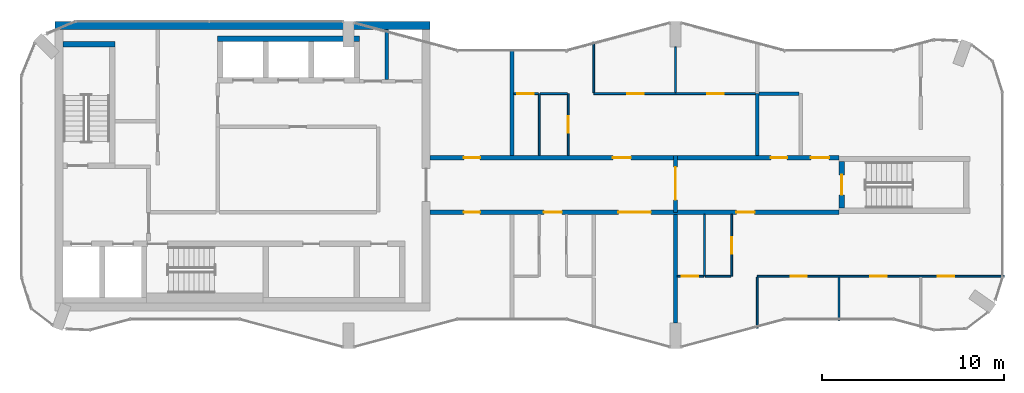
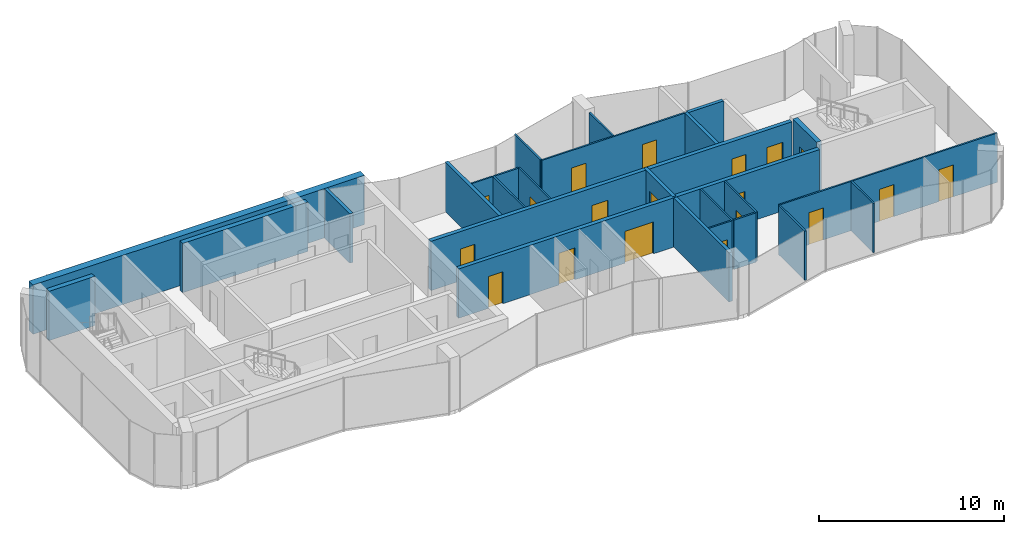
# One storey, part 8 of 10: 26 walls, 19 doors, 19 openings.
"""IFC4 building model written with IfcOpenShell, lengths in metres."""

from ifc_helpers import new_model, si_unit, direction, frame, frame_2d, origin, place, context, subcontext, project, spatial, rectangle, extrude, material, layer, layer_set, type_object, element, fill, save


model = new_model("IFC4")

# Units and contexts
model_context = context("Model", 3, precision=1e-05, world=origin(), true_north=direction((0.0, 1.0)))
body_context = subcontext(model_context, "Body", "Model", "MODEL_VIEW")
ifc_project = project(units=[si_unit("LENGTHUNIT", "METRE"), si_unit("AREAUNIT", "SQUARE_METRE"), si_unit("VOLUMEUNIT", "CUBIC_METRE"), si_unit("PLANEANGLEUNIT", "RADIAN"), si_unit("MASSUNIT", "GRAM", prefix="KILO")], contexts=[model_context])

# Site, building, storey
site_placement = place(None, origin())
site = spatial("IfcSite", under=ifc_project, at=site_placement, CompositionType="ELEMENT")
building_placement = place(site_placement, origin())
building = spatial("IfcBuilding", under=site, at=building_placement, Name="Plateau Cross Towers", CompositionType="ELEMENT")
storey_placement = place(building_placement, frame((0.0, 0.0, 277.39990234375)))
storey = spatial("IfcBuildingStorey", under=building, at=storey_placement, Name="L73", CompositionType="ELEMENT", Elevation=277.39990234375)

# Walls
ifc_material_1 = material(Name="Concrete block, plastered both sides", Category="concrete")
ifc_layer_1 = layer(ifc_material_1, 0.199951171875)
ifc_layer_set_1 = layer_set([ifc_layer_1], Name="Concrete block, plastered both sides")
wall_type_1 = type_object("IfcWallType", Name="Core partition 200", PredefinedType="PARTITIONING", material=ifc_layer_set_1)
wall_1_placement = place(storey_placement, frame((20.10009765625, 14.800048828125, 0.0), z_axis=(0.0, 0.0, 1.0), x_axis=(0.0, 1.0, 0.0)))
element("IfcWall", 1, at=wall_1_placement, inside=storey, type_object=wall_type_1, Name="Core partition", PredefinedType="PARTITIONING", context=body_context, shape_type="SweptSolid", body=[
    extrude(rectangle(XDim=2.75, YDim=0.199951171875, at=frame_2d((1.375, 0.0))), origin(), (0.0, 0.0, 1.0), 3.25),
])
ifc_material_2 = material(Name="Concrete C60/75", Category="concrete")
ifc_layer_2 = layer(ifc_material_2, 0.300048828125)
ifc_layer_set_2 = layer_set([ifc_layer_2], Name="Concrete C60/75")
wall_type_2 = type_object("IfcWallType", Name="Core shaft wall 300", PredefinedType="SHEAR", material=ifc_layer_set_2)
wall_2_placement = place(storey_placement, frame((2.300048828125, 16.75, 0.0), z_axis=(0.0, 0.0, 1.0), x_axis=(1.0, 0.0, 0.0)))
element("IfcWall", 2, at=wall_2_placement, inside=storey, type_object=wall_type_2, Name="A-st1-N@L73", PredefinedType="SHEAR", context=body_context, shape_type="SweptSolid", body=[
    extrude(rectangle(XDim=2.849853515625, YDim=0.300048828125, at=frame_2d((1.4248046875, 0.0))), origin(), (0.0, 0.0, 1.0), 3.25),
])
wall_3_placement = place(storey_placement, frame((10.800048828125, 17.050048828125, 0.0), z_axis=(0.0, 0.0, 1.0), x_axis=(1.0, 0.0, 0.0)))
element("IfcWall", 3, at=wall_3_placement, inside=storey, type_object=wall_type_2, Name="A-nb-back@L73", PredefinedType="SHEAR", context=body_context, shape_type="SweptSolid", body=[
    extrude(rectangle(XDim=7.800048828125, YDim=0.300048828125, at=frame_2d((3.89990234375, 0.0))), origin(), (0.0, 0.0, 1.0), 3.25),
])
ifc_layer_3 = layer(ifc_material_2, 0.449951171875)
ifc_layer_set_3 = layer_set([ifc_layer_3], Name="Concrete C60/75")
wall_type_3 = type_object("IfcWallType", Name="Core shell wall 450", PredefinedType="SHEAR", material=ifc_layer_set_3)
wall_4_placement = place(storey_placement, frame((1.85009765625, 17.77490234375, 0.0), z_axis=(0.0, 0.0, 1.0), x_axis=(1.0, 0.0, 0.0)))
element("IfcWall", 4, at=wall_4_placement, inside=storey, type_object=wall_type_3, Name="A-core-N@L73", PredefinedType="SHEAR", context=body_context, shape_type="SweptSolid", body=[
    extrude(rectangle(XDim=20.64990234375, YDim=0.449951171875, at=frame_2d((10.324951171875, 0.0))), origin(), (0.0, 0.0, 1.0), 3.25),
])

# Wall, openings, doors
ifc_layer_4 = layer(ifc_material_2, 0.25)
ifc_layer_set_4 = layer_set([ifc_layer_4], Name="Concrete C60/75")
wall_type_4 = type_object("IfcWallType", Name="Corridor wall 250", PredefinedType="SHEAR", material=ifc_layer_set_4)
wall_5_placement = place(storey_placement, frame((22.5, 7.5, 0.0), z_axis=(0.0, 0.0, 1.0), x_axis=(1.0, 0.0, 0.0)))
wall_5 = element("IfcWall", 5, at=wall_5_placement, inside=storey, type_object=wall_type_4, Name="A-cw-S1@L73", PredefinedType="SHEAR", context=body_context, shape_type="SweptSolid", body=[
    extrude(rectangle(XDim=22.5, YDim=0.25, at=frame_2d((11.25, 0.0))), origin(), (0.0, 0.0, 1.0), 3.25),
])
opening_1_placement = place(wall_5_placement, frame((1.85009765625, 0.0, 0.0)))
opening_1 = element("IfcOpeningElement", 6, at=opening_1_placement, cuts=wall_5, Name="Opening 73-01", PredefinedType="OPENING", context=body_context, shape_type="SweptSolid", body=[
    extrude(rectangle(XDim=0.89990234375, YDim=2.10009765625, at=frame_2d((0.449951171875, 1.050048828125))), frame((0.0, 0.135009765625, 0.0), z_axis=(0.0, -1.0, 0.0), x_axis=(1.0, 0.0, 0.0)), (0.0, 0.0, 1.0), 0.27001953125),
])
opening_2_placement = place(wall_5_placement, frame((6.25, 0.0, 0.0)))
opening_2 = element("IfcOpeningElement", 7, at=opening_2_placement, cuts=wall_5, Name="Opening 73-02", PredefinedType="OPENING", context=body_context, shape_type="SweptSolid", body=[
    extrude(rectangle(XDim=1.0, YDim=2.10009765625, at=frame_2d((0.5, 1.050048828125))), frame((0.0, 0.135009765625, 0.0), z_axis=(0.0, -1.0, 0.0), x_axis=(1.0, 0.0, 0.0)), (0.0, 0.0, 1.0), 0.27001953125),
])
opening_3_placement = place(wall_5_placement, frame((10.35009765625, 0.0, 0.0)))
opening_3 = element("IfcOpeningElement", 8, at=opening_3_placement, cuts=wall_5, Name="Opening 73-03", PredefinedType="OPENING", context=body_context, shape_type="SweptSolid", body=[
    extrude(rectangle(XDim=1.800048828125, YDim=2.10009765625, at=frame_2d((0.89990234375, 1.050048828125))), frame((0.0, 0.135009765625, 0.0), z_axis=(0.0, -1.0, 0.0), x_axis=(1.0, 0.0, 0.0)), (0.0, 0.0, 1.0), 0.27001953125),
])
opening_4_placement = place(wall_5_placement, frame((16.85009765625, 0.0, 0.0)))
opening_4 = element("IfcOpeningElement", 9, at=opening_4_placement, cuts=wall_5, Name="Opening 73-04", PredefinedType="OPENING", context=body_context, shape_type="SweptSolid", body=[
    extrude(rectangle(XDim=1.0, YDim=2.10009765625, at=frame_2d((0.5, 1.050048828125))), frame((0.0, 0.135009765625, 0.0), z_axis=(0.0, -1.0, 0.0), x_axis=(1.0, 0.0, 0.0)), (0.0, 0.0, 1.0), 0.27001953125),
])
ifc_material_3 = material(Name="Timber, fire-resisting leaf", Category="wood")
door_type_1 = type_object("IfcDoorType", Name="Flat entrance door 1000", OperationType="NOTDEFINED", PredefinedType="DOOR", material=ifc_material_3)
door_1_placement = place(opening_2_placement, origin())
door_1 = element("IfcDoor", 10, at=door_1_placement, inside=storey, type_object=door_type_1, Name="Door 73-02", OperationType="SINGLE_SWING_LEFT", OverallHeight=2.10009765625, OverallWidth=1.0, PredefinedType="DOOR", context=body_context, shape_type="SweptSolid", body=[
    extrude(rectangle(XDim=1.0, YDim=2.10009765625, at=frame_2d((0.5, 1.050048828125))), frame((0.0, 0.02490234375, 0.0), z_axis=(0.0, -1.0, 0.0), x_axis=(1.0, 0.0, 0.0)), (0.0, 0.0, 1.0), 0.050048828125),
])
fill(opening_2, door_1)
door_2_placement = place(opening_4_placement, origin())
door_2 = element("IfcDoor", 11, at=door_2_placement, inside=storey, type_object=door_type_1, Name="Door 73-04", OperationType="SINGLE_SWING_RIGHT", OverallHeight=2.10009765625, OverallWidth=1.0, PredefinedType="DOOR", context=body_context, shape_type="SweptSolid", body=[
    extrude(rectangle(XDim=1.0, YDim=2.10009765625, at=frame_2d((0.5, 1.050048828125))), frame((0.0, 0.02490234375, 0.0), z_axis=(0.0, -1.0, 0.0), x_axis=(1.0, 0.0, 0.0)), (0.0, 0.0, 1.0), 0.050048828125),
])
fill(opening_4, door_2)
ifc_material_4 = material(Name="Timber, fire-resisting leaves", Category="wood")
door_type_2 = type_object("IfcDoorType", Name="Flat floor fire door pair 1800", OperationType="NOTDEFINED", PredefinedType="DOOR", material=ifc_material_4)
door_3_placement = place(opening_3_placement, origin())
door_3 = element("IfcDoor", 12, at=door_3_placement, inside=storey, type_object=door_type_2, Name="Door 73-03", OperationType="SINGLE_SWING_LEFT", OverallHeight=2.10009765625, OverallWidth=1.800048828125, PredefinedType="DOOR", context=body_context, shape_type="SweptSolid", body=[
    extrude(rectangle(XDim=1.800048828125, YDim=2.10009765625, at=frame_2d((0.89990234375, 1.050048828125))), frame((0.0, 0.02490234375, 0.0), z_axis=(0.0, -1.0, 0.0), x_axis=(1.0, 0.0, 0.0)), (0.0, 0.0, 1.0), 0.050048828125),
])
fill(opening_3, door_3)
door_type_3 = type_object("IfcDoorType", Name="Flat floor service door 900", OperationType="NOTDEFINED", PredefinedType="DOOR", material=ifc_material_3)
door_4_placement = place(opening_1_placement, origin())
door_4 = element("IfcDoor", 13, at=door_4_placement, inside=storey, type_object=door_type_3, Name="Door 73-01", OperationType="SINGLE_SWING_LEFT", OverallHeight=2.10009765625, OverallWidth=0.89990234375, PredefinedType="DOOR", context=body_context, shape_type="SweptSolid", body=[
    extrude(rectangle(XDim=0.89990234375, YDim=2.10009765625, at=frame_2d((0.449951171875, 1.050048828125))), frame((0.0, 0.02490234375, 0.0), z_axis=(0.0, -1.0, 0.0), x_axis=(1.0, 0.0, 0.0)), (0.0, 0.0, 1.0), 0.050048828125),
])
fill(opening_1, door_4)

wall_6_placement = place(storey_placement, frame((22.5, 10.5, 0.0), z_axis=(0.0, 0.0, 1.0), x_axis=(1.0, 0.0, 0.0)))
wall_6 = element("IfcWall", 14, at=wall_6_placement, inside=storey, type_object=wall_type_4, Name="A-cw-S2@L73", PredefinedType="SHEAR", context=body_context, shape_type="SweptSolid", body=[
    extrude(rectangle(XDim=22.5, YDim=0.25, at=frame_2d((11.25, 0.0))), origin(), (0.0, 0.0, 1.0), 3.25),
])
opening_5_placement = place(wall_6_placement, frame((1.85009765625, 0.0, 0.0)))
opening_5 = element("IfcOpeningElement", 15, at=opening_5_placement, cuts=wall_6, Name="Opening 73-05", PredefinedType="OPENING", context=body_context, shape_type="SweptSolid", body=[
    extrude(rectangle(XDim=0.89990234375, YDim=2.10009765625, at=frame_2d((0.449951171875, 1.050048828125))), frame((0.0, 0.135009765625, 0.0), z_axis=(0.0, -1.0, 0.0), x_axis=(1.0, 0.0, 0.0)), (0.0, 0.0, 1.0), 0.27001953125),
])
opening_6_placement = place(wall_6_placement, frame((10.050048828125, 0.0, 0.0)))
opening_6 = element("IfcOpeningElement", 16, at=opening_6_placement, cuts=wall_6, Name="Opening 73-06", PredefinedType="OPENING", context=body_context, shape_type="SweptSolid", body=[
    extrude(rectangle(XDim=1.0, YDim=2.10009765625, at=frame_2d((0.5, 1.050048828125))), frame((0.0, 0.135009765625, 0.0), z_axis=(0.0, -1.0, 0.0), x_axis=(1.0, 0.0, 0.0)), (0.0, 0.0, 1.0), 0.27001953125),
])
opening_7_placement = place(wall_6_placement, frame((18.75, 0.0, 0.0)))
opening_7 = element("IfcOpeningElement", 17, at=opening_7_placement, cuts=wall_6, Name="Opening 73-07", PredefinedType="OPENING", context=body_context, shape_type="SweptSolid", body=[
    extrude(rectangle(XDim=0.89990234375, YDim=2.10009765625, at=frame_2d((0.449951171875, 1.050048828125))), frame((0.0, 0.135009765625, 0.0), z_axis=(0.0, -1.0, 0.0), x_axis=(1.0, 0.0, 0.0)), (0.0, 0.0, 1.0), 0.27001953125),
])
opening_8_placement = place(wall_6_placement, frame((20.949951171875, 0.0, 0.0)))
opening_8 = element("IfcOpeningElement", 18, at=opening_8_placement, cuts=wall_6, Name="Opening 73-08", PredefinedType="OPENING", context=body_context, shape_type="SweptSolid", body=[
    extrude(rectangle(XDim=1.0, YDim=2.10009765625, at=frame_2d((0.5, 1.050048828125))), frame((0.0, 0.135009765625, 0.0), z_axis=(0.0, -1.0, 0.0), x_axis=(1.0, 0.0, 0.0)), (0.0, 0.0, 1.0), 0.27001953125),
])
door_5_placement = place(opening_6_placement, origin())
door_5 = element("IfcDoor", 19, at=door_5_placement, inside=storey, type_object=door_type_1, Name="Door 73-06", OperationType="SINGLE_SWING_LEFT", OverallHeight=2.10009765625, OverallWidth=1.0, PredefinedType="DOOR", context=body_context, shape_type="SweptSolid", body=[
    extrude(rectangle(XDim=1.0, YDim=2.10009765625, at=frame_2d((0.5, 1.050048828125))), frame((0.0, 0.02490234375, 0.0), z_axis=(0.0, -1.0, 0.0), x_axis=(1.0, 0.0, 0.0)), (0.0, 0.0, 1.0), 0.050048828125),
])
fill(opening_6, door_5)
door_6_placement = place(opening_8_placement, origin())
door_6 = element("IfcDoor", 20, at=door_6_placement, inside=storey, type_object=door_type_1, Name="Door 73-08", OperationType="SINGLE_SWING_RIGHT", OverallHeight=2.10009765625, OverallWidth=1.0, PredefinedType="DOOR", context=body_context, shape_type="SweptSolid", body=[
    extrude(rectangle(XDim=1.0, YDim=2.10009765625, at=frame_2d((0.5, 1.050048828125))), frame((0.0, 0.02490234375, 0.0), z_axis=(0.0, -1.0, 0.0), x_axis=(1.0, 0.0, 0.0)), (0.0, 0.0, 1.0), 0.050048828125),
])
fill(opening_8, door_6)
door_7_placement = place(opening_5_placement, origin())
door_7 = element("IfcDoor", 21, at=door_7_placement, inside=storey, type_object=door_type_3, Name="Door 73-05", OperationType="SINGLE_SWING_LEFT", OverallHeight=2.10009765625, OverallWidth=0.89990234375, PredefinedType="DOOR", context=body_context, shape_type="SweptSolid", body=[
    extrude(rectangle(XDim=0.89990234375, YDim=2.10009765625, at=frame_2d((0.449951171875, 1.050048828125))), frame((0.0, 0.02490234375, 0.0), z_axis=(0.0, -1.0, 0.0), x_axis=(1.0, 0.0, 0.0)), (0.0, 0.0, 1.0), 0.050048828125),
])
fill(opening_5, door_7)
door_8_placement = place(opening_7_placement, origin())
door_8 = element("IfcDoor", 22, at=door_8_placement, inside=storey, type_object=door_type_3, Name="Door 73-07", OperationType="SINGLE_SWING_RIGHT", OverallHeight=2.10009765625, OverallWidth=0.89990234375, PredefinedType="DOOR", context=body_context, shape_type="SweptSolid", body=[
    extrude(rectangle(XDim=0.89990234375, YDim=2.10009765625, at=frame_2d((0.449951171875, 1.050048828125))), frame((0.0, 0.02490234375, 0.0), z_axis=(0.0, -1.0, 0.0), x_axis=(1.0, 0.0, 0.0)), (0.0, 0.0, 1.0), 0.050048828125),
])
fill(opening_7, door_8)

ifc_material_5 = material(Name="Gypsum board on steel studs", Category="steel")
ifc_layer_5 = layer(ifc_material_5, 0.10009765625)
ifc_layer_set_5 = layer_set([ifc_layer_5], Name="Gypsum board on steel studs")
wall_type_5 = type_object("IfcWallType", Name="Flat partition 100", PredefinedType="PARTITIONING", material=ifc_layer_set_5)
wall_7_placement = place(storey_placement, frame((54.080078125, 3.97509765625, 0.0), z_axis=(0.0, 0.0, 1.0), x_axis=(-1.0, 0.0, 0.0)))
wall_7 = element("IfcWall", 23, at=wall_7_placement, inside=storey, type_object=wall_type_5, Name="Partition wall", PredefinedType="PARTITIONING", context=body_context, shape_type="SweptSolid", body=[
    extrude(rectangle(XDim=13.580078125, YDim=0.10009765625, at=frame_2d((6.7900390625, 0.0))), origin(), (0.0, 0.0, 1.0), 3.25),
])
opening_9_placement = place(wall_7_placement, frame((10.85009765625, 0.0, 0.0)))
opening_9 = element("IfcOpeningElement", 24, at=opening_9_placement, cuts=wall_7, Name="Opening 73-15", PredefinedType="OPENING", context=body_context, shape_type="SweptSolid", body=[
    extrude(rectangle(XDim=0.89990234375, YDim=2.10009765625, at=frame_2d((0.449951171875, 1.050048828125))), frame((0.0, 0.06005859375, 0.0), z_axis=(0.0, -1.0, 0.0), x_axis=(1.0, 0.0, 0.0)), (0.0, 0.0, 1.0), 0.1201171875),
])
opening_10_placement = place(wall_7_placement, frame((6.449951171875, 0.0, 0.0)))
opening_10 = element("IfcOpeningElement", 25, at=opening_10_placement, cuts=wall_7, Name="Opening 73-16", PredefinedType="OPENING", context=body_context, shape_type="SweptSolid", body=[
    extrude(rectangle(XDim=0.89990234375, YDim=2.10009765625, at=frame_2d((0.449951171875, 1.050048828125))), frame((0.0, 0.06005859375, 0.0), z_axis=(0.0, -1.0, 0.0), x_axis=(1.0, 0.0, 0.0)), (0.0, 0.0, 1.0), 0.1201171875),
])
opening_11_placement = place(wall_7_placement, frame((2.75, 0.0, 0.0)))
opening_11 = element("IfcOpeningElement", 26, at=opening_11_placement, cuts=wall_7, Name="Opening 73-17", PredefinedType="OPENING", context=body_context, shape_type="SweptSolid", body=[
    extrude(rectangle(XDim=0.89990234375, YDim=2.10009765625, at=frame_2d((0.449951171875, 1.050048828125))), frame((0.0, 0.06005859375, 0.0), z_axis=(0.0, -1.0, 0.0), x_axis=(1.0, 0.0, 0.0)), (0.0, 0.0, 1.0), 0.1201171875),
])
ifc_material_6 = material(Name="Timber leaf", Category="wood")
door_type_4 = type_object("IfcDoorType", Name="Flat room door 900", OperationType="NOTDEFINED", PredefinedType="DOOR", material=ifc_material_6)
door_9_placement = place(opening_9_placement, origin())
door_9 = element("IfcDoor", 27, at=door_9_placement, inside=storey, type_object=door_type_4, Name="Door 73-15", OperationType="SINGLE_SWING_RIGHT", OverallHeight=2.10009765625, OverallWidth=0.89990234375, PredefinedType="DOOR", context=body_context, shape_type="SweptSolid", body=[
    extrude(rectangle(XDim=0.89990234375, YDim=2.10009765625, at=frame_2d((0.449951171875, 1.050048828125))), frame((0.0, 0.02490234375, 0.0), z_axis=(0.0, -1.0, 0.0), x_axis=(1.0, 0.0, 0.0)), (0.0, 0.0, 1.0), 0.050048828125),
])
fill(opening_9, door_9)
door_10_placement = place(opening_10_placement, origin())
door_10 = element("IfcDoor", 28, at=door_10_placement, inside=storey, type_object=door_type_4, Name="Door 73-16", OperationType="SINGLE_SWING_RIGHT", OverallHeight=2.10009765625, OverallWidth=0.89990234375, PredefinedType="DOOR", context=body_context, shape_type="SweptSolid", body=[
    extrude(rectangle(XDim=0.89990234375, YDim=2.10009765625, at=frame_2d((0.449951171875, 1.050048828125))), frame((0.0, 0.02490234375, 0.0), z_axis=(0.0, -1.0, 0.0), x_axis=(1.0, 0.0, 0.0)), (0.0, 0.0, 1.0), 0.050048828125),
])
fill(opening_10, door_10)
door_11_placement = place(opening_11_placement, origin())
door_11 = element("IfcDoor", 29, at=door_11_placement, inside=storey, type_object=door_type_4, Name="Door 73-17", OperationType="SINGLE_SWING_LEFT", OverallHeight=2.10009765625, OverallWidth=0.89990234375, PredefinedType="DOOR", context=body_context, shape_type="SweptSolid", body=[
    extrude(rectangle(XDim=0.89990234375, YDim=2.10009765625, at=frame_2d((0.449951171875, 1.050048828125))), frame((0.0, 0.02490234375, 0.0), z_axis=(0.0, -1.0, 0.0), x_axis=(1.0, 0.0, 0.0)), (0.0, 0.0, 1.0), 0.050048828125),
])
fill(opening_11, door_11)

# Wall, opening, door
wall_8_placement = place(storey_placement, frame((36.10009765625, 3.97509765625, 0.0), z_axis=(0.0, 0.0, 1.0), x_axis=(1.0, 0.0, 0.0)))
wall_8 = element("IfcWall", 30, at=wall_8_placement, inside=storey, type_object=wall_type_5, Name="Partition wall", PredefinedType="PARTITIONING", context=body_context, shape_type="SweptSolid", body=[
    extrude(rectangle(XDim=1.449951171875, YDim=0.10009765625, at=frame_2d((0.72509765625, 0.0))), origin(), (0.0, 0.0, 1.0), 3.25),
])
opening_12_placement = place(wall_8_placement, frame((0.25, 0.0, 0.0)))
opening_12 = element("IfcOpeningElement", 31, at=opening_12_placement, cuts=wall_8, Name="Opening 73-13", PredefinedType="OPENING", context=body_context, shape_type="SweptSolid", body=[
    extrude(rectangle(XDim=0.89990234375, YDim=2.10009765625, at=frame_2d((0.449951171875, 1.050048828125))), frame((0.0, 0.06005859375, 0.0), z_axis=(0.0, -1.0, 0.0), x_axis=(1.0, 0.0, 0.0)), (0.0, 0.0, 1.0), 0.1201171875),
])
door_12_placement = place(opening_12_placement, origin())
door_12 = element("IfcDoor", 32, at=door_12_placement, inside=storey, type_object=door_type_4, Name="Door 73-13", OperationType="SINGLE_SWING_LEFT", OverallHeight=2.10009765625, OverallWidth=0.89990234375, PredefinedType="DOOR", context=body_context, shape_type="SweptSolid", body=[
    extrude(rectangle(XDim=0.89990234375, YDim=2.10009765625, at=frame_2d((0.449951171875, 1.050048828125))), frame((0.0, 0.02490234375, 0.0), z_axis=(0.0, -1.0, 0.0), x_axis=(1.0, 0.0, 0.0)), (0.0, 0.0, 1.0), 0.050048828125),
])
fill(opening_12, door_12)

# Wall
wall_9_placement = place(storey_placement, frame((37.64990234375, 3.97509765625, 0.0), z_axis=(0.0, 0.0, 1.0), x_axis=(1.0, 0.0, 0.0)))
element("IfcWall", 33, at=wall_9_placement, inside=storey, type_object=wall_type_5, Name="Partition wall", PredefinedType="PARTITIONING", context=body_context, shape_type="SweptSolid", body=[
    extrude(rectangle(XDim=1.400146484375, YDim=0.10009765625, at=frame_2d((0.7001953125, 0.0))), origin(), (0.0, 0.0, 1.0), 3.25),
])

# Wall, opening, door
wall_10_placement = place(storey_placement, frame((28.449951171875, 14.02490234375, 0.0), z_axis=(0.0, 0.0, 1.0), x_axis=(-1.0, 0.0, 0.0)))
wall_10 = element("IfcWall", 34, at=wall_10_placement, inside=storey, type_object=wall_type_5, Name="Partition wall", PredefinedType="PARTITIONING", context=body_context, shape_type="SweptSolid", body=[
    extrude(rectangle(XDim=1.349853515625, YDim=0.10009765625, at=frame_2d((0.6748046875, 0.0))), origin(), (0.0, 0.0, 1.0), 3.25),
])
opening_13_placement = place(wall_10_placement, frame((0.25, 0.0, 0.0)))
opening_13 = element("IfcOpeningElement", 35, at=opening_13_placement, cuts=wall_10, Name="Opening 73-18", PredefinedType="OPENING", context=body_context, shape_type="SweptSolid", body=[
    extrude(rectangle(XDim=0.89990234375, YDim=2.10009765625, at=frame_2d((0.449951171875, 1.050048828125))), frame((0.0, 0.06005859375, 0.0), z_axis=(0.0, -1.0, 0.0), x_axis=(1.0, 0.0, 0.0)), (0.0, 0.0, 1.0), 0.1201171875),
])
door_13_placement = place(opening_13_placement, origin())
door_13 = element("IfcDoor", 36, at=door_13_placement, inside=storey, type_object=door_type_4, Name="Door 73-18", OperationType="SINGLE_SWING_RIGHT", OverallHeight=2.10009765625, OverallWidth=0.89990234375, PredefinedType="DOOR", context=body_context, shape_type="SweptSolid", body=[
    extrude(rectangle(XDim=0.89990234375, YDim=2.10009765625, at=frame_2d((0.449951171875, 1.050048828125))), frame((0.0, 0.02490234375, 0.0), z_axis=(0.0, -1.0, 0.0), x_axis=(1.0, 0.0, 0.0)), (0.0, 0.0, 1.0), 0.050048828125),
])
fill(opening_13, door_13)

# Wall
wall_11_placement = place(storey_placement, frame((30.050048828125, 14.02490234375, 0.0), z_axis=(0.0, 0.0, 1.0), x_axis=(-1.0, 0.0, 0.0)))
element("IfcWall", 37, at=wall_11_placement, inside=storey, type_object=wall_type_5, Name="Partition wall", PredefinedType="PARTITIONING", context=body_context, shape_type="SweptSolid", body=[
    extrude(rectangle(XDim=1.5, YDim=0.10009765625, at=frame_2d((0.75, 0.0))), origin(), (0.0, 0.0, 1.0), 3.25),
])

# Wall, openings, doors
wall_12_placement = place(storey_placement, frame((31.5, 14.02490234375, 0.0), z_axis=(0.0, 0.0, 1.0), x_axis=(1.0, 0.0, 0.0)))
wall_12 = element("IfcWall", 38, at=wall_12_placement, inside=storey, type_object=wall_type_5, Name="Partition wall", PredefinedType="PARTITIONING", context=body_context, shape_type="SweptSolid", body=[
    extrude(rectangle(XDim=8.89990234375, YDim=0.10009765625, at=frame_2d((4.449951171875, 0.0))), origin(), (0.0, 0.0, 1.0), 3.25),
])
opening_14_placement = place(wall_12_placement, frame((1.85009765625, 0.0, 0.0)))
opening_14 = element("IfcOpeningElement", 39, at=opening_14_placement, cuts=wall_12, Name="Opening 73-20", PredefinedType="OPENING", context=body_context, shape_type="SweptSolid", body=[
    extrude(rectangle(XDim=0.89990234375, YDim=2.10009765625, at=frame_2d((0.449951171875, 1.050048828125))), frame((0.0, 0.06005859375, 0.0), z_axis=(0.0, -1.0, 0.0), x_axis=(1.0, 0.0, 0.0)), (0.0, 0.0, 1.0), 0.1201171875),
])
opening_15_placement = place(wall_12_placement, frame((6.25, 0.0, 0.0)))
opening_15 = element("IfcOpeningElement", 40, at=opening_15_placement, cuts=wall_12, Name="Opening 73-21", PredefinedType="OPENING", context=body_context, shape_type="SweptSolid", body=[
    extrude(rectangle(XDim=0.89990234375, YDim=2.10009765625, at=frame_2d((0.449951171875, 1.050048828125))), frame((0.0, 0.06005859375, 0.0), z_axis=(0.0, -1.0, 0.0), x_axis=(1.0, 0.0, 0.0)), (0.0, 0.0, 1.0), 0.1201171875),
])
door_14_placement = place(opening_14_placement, origin())
door_14 = element("IfcDoor", 41, at=door_14_placement, inside=storey, type_object=door_type_4, Name="Door 73-20", OperationType="SINGLE_SWING_LEFT", OverallHeight=2.10009765625, OverallWidth=0.89990234375, PredefinedType="DOOR", context=body_context, shape_type="SweptSolid", body=[
    extrude(rectangle(XDim=0.89990234375, YDim=2.10009765625, at=frame_2d((0.449951171875, 1.050048828125))), frame((0.0, 0.02490234375, 0.0), z_axis=(0.0, -1.0, 0.0), x_axis=(1.0, 0.0, 0.0)), (0.0, 0.0, 1.0), 0.050048828125),
])
fill(opening_14, door_14)
door_15_placement = place(opening_15_placement, origin())
door_15 = element("IfcDoor", 42, at=door_15_placement, inside=storey, type_object=door_type_4, Name="Door 73-21", OperationType="SINGLE_SWING_RIGHT", OverallHeight=2.10009765625, OverallWidth=0.89990234375, PredefinedType="DOOR", context=body_context, shape_type="SweptSolid", body=[
    extrude(rectangle(XDim=0.89990234375, YDim=2.10009765625, at=frame_2d((0.449951171875, 1.050048828125))), frame((0.0, 0.02490234375, 0.0), z_axis=(0.0, -1.0, 0.0), x_axis=(1.0, 0.0, 0.0)), (0.0, 0.0, 1.0), 0.050048828125),
])
fill(opening_15, door_15)

# Wall
wall_13_placement = place(storey_placement, frame((28.5, 10.625, 0.0), z_axis=(0.0, 0.0, 1.0), x_axis=(0.0, 1.0, 0.0)))
element("IfcWall", 43, at=wall_13_placement, inside=storey, type_object=wall_type_5, Name="Partition wall", PredefinedType="PARTITIONING", context=body_context, shape_type="SweptSolid", body=[
    extrude(rectangle(XDim=3.39990234375, YDim=0.10009765625, at=frame_2d((1.699951171875, 0.0))), origin(), (0.0, 0.0, 1.0), 3.25),
])

# Wall, opening, door
wall_14_placement = place(storey_placement, frame((30.10009765625, 10.625, 0.0), z_axis=(0.0, 0.0, 1.0), x_axis=(0.0, 1.0, 0.0)))
wall_14 = element("IfcWall", 44, at=wall_14_placement, inside=storey, type_object=wall_type_5, Name="Partition wall", PredefinedType="PARTITIONING", context=body_context, shape_type="SweptSolid", body=[
    extrude(rectangle(XDim=3.39990234375, YDim=0.10009765625, at=frame_2d((1.699951171875, 0.0))), origin(), (0.0, 0.0, 1.0), 3.25),
])
opening_16_placement = place(wall_14_placement, frame((1.25, 0.0, 0.0)))
opening_16 = element("IfcOpeningElement", 45, at=opening_16_placement, cuts=wall_14, Name="Opening 73-19", PredefinedType="OPENING", context=body_context, shape_type="SweptSolid", body=[
    extrude(rectangle(XDim=0.89990234375, YDim=2.10009765625, at=frame_2d((0.449951171875, 1.050048828125))), frame((0.0, 0.06005859375, 0.0), z_axis=(0.0, -1.0, 0.0), x_axis=(1.0, 0.0, 0.0)), (0.0, 0.0, 1.0), 0.1201171875),
])
door_16_placement = place(opening_16_placement, origin())
door_16 = element("IfcDoor", 46, at=door_16_placement, inside=storey, type_object=door_type_4, Name="Door 73-19", OperationType="SINGLE_SWING_LEFT", OverallHeight=2.10009765625, OverallWidth=0.89990234375, PredefinedType="DOOR", context=body_context, shape_type="SweptSolid", body=[
    extrude(rectangle(XDim=0.89990234375, YDim=2.10009765625, at=frame_2d((0.449951171875, 1.050048828125))), frame((0.0, 0.02490234375, 0.0), z_axis=(0.0, -1.0, 0.0), x_axis=(1.0, 0.0, 0.0)), (0.0, 0.0, 1.0), 0.050048828125),
])
fill(opening_16, door_16)

# Walls
wall_15_placement = place(storey_placement, frame((31.5, 16.877685546875, 0.0), z_axis=(0.0, 0.0, 1.0), x_axis=(0.0, -1.0, 0.0)))
element("IfcWall", 47, at=wall_15_placement, inside=storey, type_object=wall_type_5, Name="Partition wall", PredefinedType="PARTITIONING", context=body_context, shape_type="SweptSolid", body=[
    extrude(rectangle(XDim=2.802734375, YDim=0.10009765625, at=frame_2d((1.4013671875, 0.0))), origin(), (0.0, 0.0, 1.0), 3.25),
])
wall_16_placement = place(storey_placement, frame((36.0, 14.074951171875, 0.0), z_axis=(0.0, 0.0, 1.0), x_axis=(0.0, 1.0, 0.0)))
element("IfcWall", 48, at=wall_16_placement, inside=storey, type_object=wall_type_5, Name="Partition wall", PredefinedType="PARTITIONING", context=body_context, shape_type="SweptSolid", body=[
    extrude(rectangle(XDim=2.525146484375, YDim=0.10009765625, at=frame_2d((1.2626953125, 0.0))), origin(), (0.0, 0.0, 1.0), 3.25),
])
wall_17_placement = place(storey_placement, frame((37.60009765625, 3.97509765625, 0.0), z_axis=(0.0, 0.0, 1.0), x_axis=(0.0, 1.0, 0.0)))
element("IfcWall", 49, at=wall_17_placement, inside=storey, type_object=wall_type_5, Name="Partition wall", PredefinedType="PARTITIONING", context=body_context, shape_type="SweptSolid", body=[
    extrude(rectangle(XDim=3.39990234375, YDim=0.10009765625, at=frame_2d((1.699951171875, 0.0))), origin(), (0.0, 0.0, 1.0), 3.25),
])

# Wall, opening, door
wall_18_placement = place(storey_placement, frame((39.10009765625, 3.97509765625, 0.0), z_axis=(0.0, 0.0, 1.0), x_axis=(0.0, 1.0, 0.0)))
wall_18 = element("IfcWall", 50, at=wall_18_placement, inside=storey, type_object=wall_type_5, Name="Partition wall", PredefinedType="PARTITIONING", context=body_context, shape_type="SweptSolid", body=[
    extrude(rectangle(XDim=3.39990234375, YDim=0.10009765625, at=frame_2d((1.699951171875, 0.0))), origin(), (0.0, 0.0, 1.0), 3.25),
])
opening_17_placement = place(wall_18_placement, frame((1.25, 0.0, 0.0)))
opening_17 = element("IfcOpeningElement", 51, at=opening_17_placement, cuts=wall_18, Name="Opening 73-14", PredefinedType="OPENING", context=body_context, shape_type="SweptSolid", body=[
    extrude(rectangle(XDim=0.89990234375, YDim=2.10009765625, at=frame_2d((0.449951171875, 1.050048828125))), frame((0.0, 0.06005859375, 0.0), z_axis=(0.0, -1.0, 0.0), x_axis=(1.0, 0.0, 0.0)), (0.0, 0.0, 1.0), 0.1201171875),
])
door_17_placement = place(opening_17_placement, origin())
door_17 = element("IfcDoor", 52, at=door_17_placement, inside=storey, type_object=door_type_4, Name="Door 73-14", OperationType="SINGLE_SWING_LEFT", OverallHeight=2.10009765625, OverallWidth=0.89990234375, PredefinedType="DOOR", context=body_context, shape_type="SweptSolid", body=[
    extrude(rectangle(XDim=0.89990234375, YDim=2.10009765625, at=frame_2d((0.449951171875, 1.050048828125))), frame((0.0, 0.02490234375, 0.0), z_axis=(0.0, -1.0, 0.0), x_axis=(1.0, 0.0, 0.0)), (0.0, 0.0, 1.0), 0.050048828125),
])
fill(opening_17, door_17)

# Walls
wall_19_placement = place(storey_placement, frame((40.5, 3.925048828125, 0.0), z_axis=(0.0, 0.0, 1.0), x_axis=(0.0, -1.0, 0.0)))
element("IfcWall", 53, at=wall_19_placement, inside=storey, type_object=wall_type_5, Name="Partition wall", PredefinedType="PARTITIONING", context=body_context, shape_type="SweptSolid", body=[
    extrude(rectangle(XDim=2.802734375, YDim=0.10009765625, at=frame_2d((1.4013671875, 0.0))), origin(), (0.0, 0.0, 1.0), 3.25),
])
wall_20_placement = place(storey_placement, frame((45.0, 1.52685546875, 0.0), z_axis=(0.0, 0.0, 1.0), x_axis=(0.0, 1.0, 0.0)))
element("IfcWall", 54, at=wall_20_placement, inside=storey, type_object=wall_type_5, Name="Partition wall", PredefinedType="PARTITIONING", context=body_context, shape_type="SweptSolid", body=[
    extrude(rectangle(XDim=2.398193359375, YDim=0.10009765625, at=frame_2d((1.19921875, 0.0))), origin(), (0.0, 0.0, 1.0), 3.25),
])
ifc_material_7 = material(Name="Gypsum board on steel studs, two layers each side", Category="steel")
ifc_layer_6 = layer(ifc_material_7, 0.199951171875)
ifc_layer_set_6 = layer_set([ifc_layer_6], Name="Gypsum board on steel studs, two layers each side")
wall_type_6 = type_object("IfcWallType", Name="Flat party wall 200", PredefinedType="PARTITIONING", material=ifc_layer_set_6)
wall_21_placement = place(storey_placement, frame((42.800048828125, 14.02490234375, 0.0), z_axis=(0.0, 0.0, 1.0), x_axis=(-1.0, 0.0, 0.0)))
element("IfcWall", 55, at=wall_21_placement, inside=storey, type_object=wall_type_6, Name="Party wall", PredefinedType="PARTITIONING", context=body_context, shape_type="SweptSolid", body=[
    extrude(rectangle(XDim=2.199951171875, YDim=0.199951171875, at=frame_2d((1.10009765625, 0.0))), origin(), (0.0, 0.0, 1.0), 3.25),
])
wall_22_placement = place(storey_placement, frame((27.0, 10.625, 0.0), z_axis=(0.0, 0.0, 1.0), x_axis=(0.0, 1.0, 0.0)))
element("IfcWall", 56, at=wall_22_placement, inside=storey, type_object=wall_type_6, Name="Party wall", PredefinedType="PARTITIONING", context=body_context, shape_type="SweptSolid", body=[
    extrude(rectangle(XDim=5.84814453125, YDim=0.199951171875, at=frame_2d((2.924072265625, 0.0))), origin(), (0.0, 0.0, 1.0), 3.25),
])
wall_23_placement = place(storey_placement, frame((36.0, 1.39990234375, 0.0), z_axis=(0.0, 0.0, 1.0), x_axis=(0.0, 1.0, 0.0)))
element("IfcWall", 57, at=wall_23_placement, inside=storey, type_object=wall_type_6, Name="Party wall", PredefinedType="PARTITIONING", context=body_context, shape_type="SweptSolid", body=[
    extrude(rectangle(XDim=5.97509765625, YDim=0.199951171875, at=frame_2d((2.987548828125, 0.0))), origin(), (0.0, 0.0, 1.0), 3.25),
])
wall_24_placement = place(storey_placement, frame((40.5, 14.02490234375, 0.0), z_axis=(0.0, 0.0, 1.0), x_axis=(0.0, -1.0, 0.0)))
element("IfcWall", 58, at=wall_24_placement, inside=storey, type_object=wall_type_6, Name="Party wall", PredefinedType="PARTITIONING", context=body_context, shape_type="SweptSolid", body=[
    extrude(rectangle(XDim=3.39990234375, YDim=0.199951171875, at=frame_2d((1.699951171875, 0.0))), origin(), (0.0, 0.0, 1.0), 3.25),
])

# Wall, opening, door
wall_25_placement = place(storey_placement, frame((36.0, 7.47509765625, 0.0), z_axis=(0.0, 0.0, 1.0), x_axis=(0.0, 1.0, 0.0)))
wall_25 = element("IfcWall", 59, at=wall_25_placement, inside=storey, type_object=wall_type_6, Name="Party wall", PredefinedType="PARTITIONING", context=body_context, shape_type="SweptSolid", body=[
    extrude(rectangle(XDim=3.14990234375, YDim=0.199951171875, at=frame_2d((1.574951171875, 0.0))), origin(), (0.0, 0.0, 1.0), 3.25),
])
opening_18_placement = place(wall_25_placement, frame((0.699951171875, 0.0, 0.0)))
opening_18 = element("IfcOpeningElement", 60, at=opening_18_placement, cuts=wall_25, Name="Opening 73-09", PredefinedType="OPENING", context=body_context, shape_type="SweptSolid", body=[
    extrude(rectangle(XDim=1.800048828125, YDim=2.10009765625, at=frame_2d((0.89990234375, 1.050048828125))), frame((0.0, 0.10986328125, 0.0), z_axis=(0.0, -1.0, 0.0), x_axis=(1.0, 0.0, 0.0)), (0.0, 0.0, 1.0), 0.219970703125),
])
door_18_placement = place(opening_18_placement, origin())
door_18 = element("IfcDoor", 61, at=door_18_placement, inside=storey, type_object=door_type_2, Name="Door 73-09", OperationType="SINGLE_SWING_RIGHT", OverallHeight=2.10009765625, OverallWidth=1.800048828125, PredefinedType="DOOR", context=body_context, shape_type="SweptSolid", body=[
    extrude(rectangle(XDim=1.800048828125, YDim=2.10009765625, at=frame_2d((0.89990234375, 1.050048828125))), frame((0.0, 0.02490234375, 0.0), z_axis=(0.0, -1.0, 0.0), x_axis=(1.0, 0.0, 0.0)), (0.0, 0.0, 1.0), 0.050048828125),
])
fill(opening_18, door_18)

ifc_layer_7 = layer(ifc_material_2, 0.300048828125)
ifc_layer_set_7 = layer_set([ifc_layer_7], Name="Concrete C60/75")
wall_type_7 = type_object("IfcWallType", Name="Stair tower wall 300", PredefinedType="SHEAR", material=ifc_layer_set_7)
wall_26_placement = place(storey_placement, frame((45.14990234375, 7.72509765625, 0.0), z_axis=(0.0, 0.0, 1.0), x_axis=(0.0, 1.0, 0.0)))
wall_26 = element("IfcWall", 62, at=wall_26_placement, inside=storey, type_object=wall_type_7, Name="A-end-E-W@L73", PredefinedType="SHEAR", context=body_context, shape_type="SweptSolid", body=[
    extrude(rectangle(XDim=2.5498046875, YDim=0.300048828125, at=frame_2d((1.27490234375, 0.0))), origin(), (0.0, 0.0, 1.0), 3.5),
])
opening_19_placement = place(wall_26_placement, frame((0.72509765625, 0.0, 0.0)))
opening_19 = element("IfcOpeningElement", 63, at=opening_19_placement, cuts=wall_26, Name="Opening SD", PredefinedType="OPENING", context=body_context, shape_type="SweptSolid", body=[
    extrude(rectangle(XDim=1.10009765625, YDim=2.10009765625, at=frame_2d((0.550048828125, 1.050048828125))), frame((0.0, 0.159912109375, 0.0), z_axis=(0.0, -1.0, 0.0), x_axis=(1.0, 0.0, 0.0)), (0.0, 0.0, 1.0), 0.320068359375),
])
ifc_material_8 = material(Name="Steel, fire-resisting leaf", Category="steel")
door_type_5 = type_object("IfcDoorType", Name="Stair door 1100", OperationType="NOTDEFINED", PredefinedType="DOOR", material=ifc_material_8)
door_19_placement = place(opening_19_placement, origin())
door_19 = element("IfcDoor", 64, at=door_19_placement, inside=storey, type_object=door_type_5, Name="Stair door SD", OperationType="SINGLE_SWING_LEFT", OverallHeight=2.10009765625, OverallWidth=1.10009765625, PredefinedType="DOOR", context=body_context, shape_type="SweptSolid", body=[
    extrude(rectangle(XDim=1.10009765625, YDim=2.10009765625, at=frame_2d((0.550048828125, 1.050048828125))), frame((0.0, 0.02490234375, 0.0), z_axis=(0.0, -1.0, 0.0), x_axis=(1.0, 0.0, 0.0)), (0.0, 0.0, 1.0), 0.050048828125),
])
fill(opening_19, door_19)

save(model, "model.ifc")
